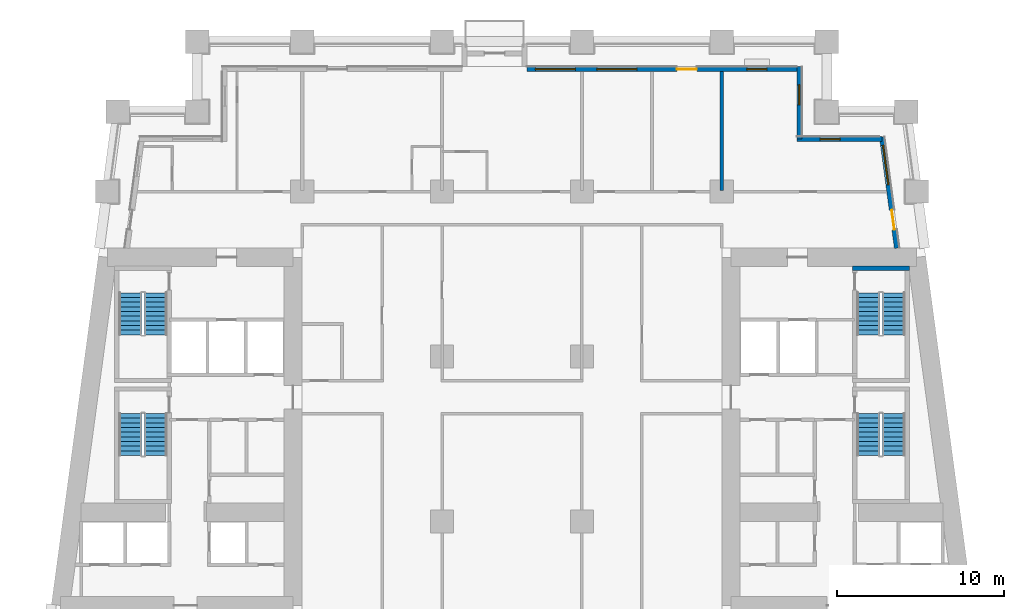
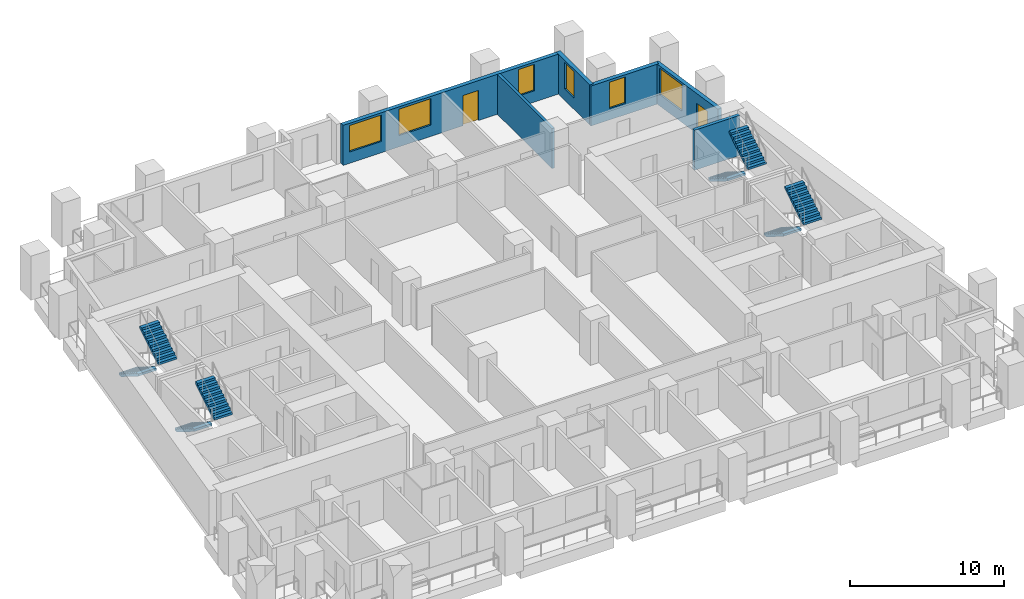
# One storey, part 7 of 12: 8 stair flights, 6 walls, 6 windows, 2 doors, 8 openings, 4 elements without a shape of their own.
"""IFC4 building model written with IfcOpenShell, lengths in metres."""

from ifc_helpers import new_model, si_unit, direction, frame, frame_2d, origin, place, context, subcontext, project, spatial, polyline, rectangle, outline, extrude, material, layer, layer_set, type_object, element, fill, aggregate, save


model = new_model("IFC4")

# Units and contexts
model_context = context("Model", 3, precision=1e-05, world=origin(), true_north=direction((0.0, 1.0)))
body_context = subcontext(model_context, "Body", "Model", "MODEL_VIEW")
ifc_project = project(units=[si_unit("LENGTHUNIT", "METRE"), si_unit("AREAUNIT", "SQUARE_METRE"), si_unit("VOLUMEUNIT", "CUBIC_METRE"), si_unit("PLANEANGLEUNIT", "RADIAN"), si_unit("MASSUNIT", "GRAM", prefix="KILO")], contexts=[model_context])

# Site, building, storey
site_placement = place(None, origin())
site = spatial("IfcSite", under=ifc_project, at=site_placement, CompositionType="ELEMENT")
building_placement = place(site_placement, origin())
building = spatial("IfcBuilding", under=site, at=building_placement, Name="Candeia Pilgrim Tower and Theatre", CompositionType="ELEMENT")
storey_placement = place(building_placement, frame((0.0, 0.0, 53.0)))
storey = spatial("IfcBuildingStorey", under=building, at=storey_placement, Name="L10", CompositionType="ELEMENT", Elevation=53.0)

# Wall, openings, door, window
ifc_material_1 = material(Name="Ceramic block masonry", Category="masonry")
ifc_layer_1 = layer(ifc_material_1, 0.300048828125)
ifc_layer_set_1 = layer_set([ifc_layer_1], Name="EW1 glazing-line wall 300")
wall_type_1 = type_object("IfcWallType", Name="EW1 glazing-line wall 300", PredefinedType="SOLIDWALL", material=ifc_layer_set_1)
wall_1_placement = place(storey_placement, frame((136.50439453125, 132.39990234375, 0.0), z_axis=(0.0, 0.0, 1.0), x_axis=(-0.133399697462, 0.99106231929, 0.0)))
wall_1 = element("IfcWall", 1, at=wall_1_placement, inside=storey, type_object=wall_type_1, Name="External wall L10-3.1", PredefinedType="SOLIDWALL", context=body_context, shape_type="SweptSolid", body=[
    extrude(rectangle(XDim=6.740478515625, YDim=0.300048828125, at=frame_2d((3.3701171875, 0.0))), origin(), (0.0, 0.0, 1.0), 3.179931640625),
])
opening_1_placement = place(wall_1_placement, frame((1.115234375, 0.0, 0.0)))
opening_1 = element("IfcOpeningElement", 2, at=opening_1_placement, cuts=wall_1, Name="Opening L10-ED122", PredefinedType="OPENING", context=body_context, shape_type="SweptSolid", body=[
    extrude(rectangle(XDim=1.199951171875, YDim=2.39990234375, at=frame_2d((0.60009765625, 1.199951171875))), frame((0.0, 0.16015625, 0.0), z_axis=(0.0, -1.0, 0.0), x_axis=(1.0, 0.0, 0.0)), (0.0, 0.0, 1.0), 0.320068359375),
])
opening_2_placement = place(wall_1_placement, frame((3.83544921875, 0.0, 0.89990234375)))
opening_2 = element("IfcOpeningElement", 3, at=opening_2_placement, cuts=wall_1, Name="Opening W-A", PredefinedType="OPENING", context=body_context, shape_type="SweptSolid", body=[
    extrude(rectangle(XDim=2.39990234375, YDim=2.10009765625, at=frame_2d((1.199951171875, 1.050048828125))), frame((0.0, 0.16015625, 0.0), z_axis=(0.0, -1.0, 0.0), x_axis=(1.0, 0.0, 0.0)), (0.0, 0.0, 1.0), 0.320068359375),
])
ifc_material_2 = material(Name="Aluminium framed glazed door", Category="aluminium")
door_type = type_object("IfcDoorType", Name="Loggia door 1200x2400", OperationType="DOUBLE_DOOR_SINGLE_SWING", PredefinedType="DOOR", material=ifc_material_2)
door_1_placement = place(opening_1_placement, origin())
door_1 = element("IfcDoor", 4, at=door_1_placement, inside=storey, type_object=door_type, Name="Loggia door L10-ED122", OperationType="DOUBLE_DOOR_SINGLE_SWING", OverallHeight=2.39990234375, OverallWidth=1.199951171875, PredefinedType="DOOR", context=body_context, shape_type="SweptSolid", body=[
    extrude(rectangle(XDim=1.199951171875, YDim=2.39990234375, at=frame_2d((0.60009765625, 1.199951171875))), frame((0.0, 0.02490234375, 0.0), z_axis=(0.0, -1.0, 0.0), x_axis=(1.0, 0.0, 0.0)), (0.0, 0.0, 1.0), 0.050048828125),
])
fill(opening_1, door_1)
ifc_material_3 = material(Name="Aluminium framed double glazing", Category="aluminium")
window_type_1 = type_object("IfcWindowType", Name="W-A window 2400x2100", PartitioningType="DOUBLE_PANEL_VERTICAL", PredefinedType="WINDOW", material=ifc_material_3)
window_1_placement = place(opening_2_placement, origin())
window_1 = element("IfcWindow", 5, at=window_1_placement, inside=storey, type_object=window_type_1, Name="Window W-A L10", OverallHeight=2.10009765625, OverallWidth=2.39990234375, PartitioningType="SINGLE_PANEL", PredefinedType="WINDOW", context=body_context, shape_type="SweptSolid", body=[
    extrude(rectangle(XDim=2.39990234375, YDim=2.10009765625, at=frame_2d((1.199951171875, 1.050048828125))), frame((0.0, 0.030029296875, 0.0), z_axis=(0.0, -1.0, 0.0), x_axis=(1.0, 0.0, 0.0)), (0.0, 0.0, 1.0), 0.06005859375),
])
fill(opening_2, window_1)

# Wall, opening, window
wall_2_placement = place(storey_placement, frame((135.62255859375, 138.949951171875, 0.0), z_axis=(0.0, 0.0, 1.0), x_axis=(-1.0, 0.0, 0.0)))
wall_2 = element("IfcWall", 6, at=wall_2_placement, inside=storey, type_object=wall_type_1, Name="External wall L10-4.0", PredefinedType="SOLIDWALL", context=body_context, shape_type="SweptSolid", body=[
    extrude(rectangle(XDim=5.12255859375, YDim=0.300048828125, at=frame_2d((2.561279296875, 0.0))), origin(), (0.0, 0.0, 1.0), 3.179931640625),
])
opening_3_placement = place(wall_2_placement, frame((2.522705078125, 0.0, 0.89990234375)))
opening_3 = element("IfcOpeningElement", 7, at=opening_3_placement, cuts=wall_2, Name="Opening W-B", PredefinedType="OPENING", context=body_context, shape_type="SweptSolid", body=[
    extrude(rectangle(XDim=1.199951171875, YDim=2.10009765625, at=frame_2d((0.60009765625, 1.050048828125))), frame((0.0, 0.16015625, 0.0), z_axis=(0.0, -1.0, 0.0), x_axis=(1.0, 0.0, 0.0)), (0.0, 0.0, 1.0), 0.320068359375),
])
window_type_2 = type_object("IfcWindowType", Name="W-B window 1200x2100", PartitioningType="SINGLE_PANEL", PredefinedType="WINDOW", material=ifc_material_3)
window_2_placement = place(opening_3_placement, origin())
window_2 = element("IfcWindow", 8, at=window_2_placement, inside=storey, type_object=window_type_2, Name="Window W-B L10", OverallHeight=2.10009765625, OverallWidth=1.199951171875, PartitioningType="SINGLE_PANEL", PredefinedType="WINDOW", context=body_context, shape_type="SweptSolid", body=[
    extrude(rectangle(XDim=1.199951171875, YDim=2.10009765625, at=frame_2d((0.60009765625, 1.050048828125))), frame((0.0, 0.030029296875, 0.0), z_axis=(0.0, -1.0, 0.0), x_axis=(1.0, 0.0, 0.0)), (0.0, 0.0, 1.0), 0.06005859375),
])
fill(opening_3, window_2)

wall_3_placement = place(storey_placement, frame((130.64990234375, 138.949951171875, 0.0), z_axis=(0.0, 0.0, 1.0), x_axis=(0.0, 1.0, 0.0)))
wall_3 = element("IfcWall", 9, at=wall_3_placement, inside=storey, type_object=wall_type_1, Name="External wall L10-5.0", PredefinedType="SOLIDWALL", context=body_context, shape_type="SweptSolid", body=[
    extrude(rectangle(XDim=4.35009765625, YDim=0.300048828125, at=frame_2d((2.175048828125, 0.0))), origin(), (0.0, 0.0, 1.0), 3.179931640625),
])
opening_4_placement = place(wall_3_placement, frame((2.050048828125, 0.0, 0.89990234375)))
opening_4 = element("IfcOpeningElement", 10, at=opening_4_placement, cuts=wall_3, Name="Opening W-B", PredefinedType="OPENING", context=body_context, shape_type="SweptSolid", body=[
    extrude(rectangle(XDim=1.199951171875, YDim=2.10009765625, at=frame_2d((0.60009765625, 1.050048828125))), frame((0.0, 0.16015625, 0.0), z_axis=(0.0, -1.0, 0.0), x_axis=(1.0, 0.0, 0.0)), (0.0, 0.0, 1.0), 0.320068359375),
])
window_3_placement = place(opening_4_placement, origin())
window_3 = element("IfcWindow", 11, at=window_3_placement, inside=storey, type_object=window_type_2, Name="Window W-B L10", OverallHeight=2.10009765625, OverallWidth=1.199951171875, PartitioningType="SINGLE_PANEL", PredefinedType="WINDOW", context=body_context, shape_type="SweptSolid", body=[
    extrude(rectangle(XDim=1.199951171875, YDim=2.10009765625, at=frame_2d((0.60009765625, 1.050048828125))), frame((0.0, 0.030029296875, 0.0), z_axis=(0.0, -1.0, 0.0), x_axis=(1.0, 0.0, 0.0)), (0.0, 0.0, 1.0), 0.06005859375),
])
fill(opening_4, window_3)

# Wall, openings, door, windows
wall_4_placement = place(storey_placement, frame((130.64990234375, 143.14990234375, 0.0), z_axis=(0.0, 0.0, 1.0), x_axis=(-1.0, 0.0, 0.0)))
wall_4 = element("IfcWall", 12, at=wall_4_placement, inside=storey, type_object=wall_type_1, Name="External wall L10-6.0", PredefinedType="SOLIDWALL", context=body_context, shape_type="SweptSolid", body=[
    extrude(rectangle(XDim=16.349853515625, YDim=0.300048828125, at=frame_2d((8.1748046875, 0.0))), origin(), (0.0, 0.0, 1.0), 3.179931640625),
])
opening_5_placement = place(wall_4_placement, frame((1.949951171875, 0.0, 0.89990234375)))
opening_5 = element("IfcOpeningElement", 13, at=opening_5_placement, cuts=wall_4, Name="Opening W-B", PredefinedType="OPENING", context=body_context, shape_type="SweptSolid", body=[
    extrude(rectangle(XDim=1.199951171875, YDim=2.10009765625, at=frame_2d((0.60009765625, 1.050048828125))), frame((0.0, 0.16015625, 0.0), z_axis=(0.0, -1.0, 0.0), x_axis=(1.0, 0.0, 0.0)), (0.0, 0.0, 1.0), 0.320068359375),
])
opening_6_placement = place(wall_4_placement, frame((6.14990234375, 0.0, 0.0)))
opening_6 = element("IfcOpeningElement", 14, at=opening_6_placement, cuts=wall_4, Name="Opening L10-ED123", PredefinedType="OPENING", context=body_context, shape_type="SweptSolid", body=[
    extrude(rectangle(XDim=1.199951171875, YDim=2.39990234375, at=frame_2d((0.60009765625, 1.199951171875))), frame((0.0, 0.16015625, 0.0), z_axis=(0.0, -1.0, 0.0), x_axis=(1.0, 0.0, 0.0)), (0.0, 0.0, 1.0), 0.320068359375),
])
opening_7_placement = place(wall_4_placement, frame((9.75, 0.0, 0.89990234375)))
opening_7 = element("IfcOpeningElement", 15, at=opening_7_placement, cuts=wall_4, Name="Opening W-A", PredefinedType="OPENING", context=body_context, shape_type="SweptSolid", body=[
    extrude(rectangle(XDim=2.39990234375, YDim=2.10009765625, at=frame_2d((1.199951171875, 1.050048828125))), frame((0.0, 0.16015625, 0.0), z_axis=(0.0, -1.0, 0.0), x_axis=(1.0, 0.0, 0.0)), (0.0, 0.0, 1.0), 0.320068359375),
])
opening_8_placement = place(wall_4_placement, frame((13.449951171875, 0.0, 0.89990234375)))
opening_8 = element("IfcOpeningElement", 16, at=opening_8_placement, cuts=wall_4, Name="Opening W-A", PredefinedType="OPENING", context=body_context, shape_type="SweptSolid", body=[
    extrude(rectangle(XDim=2.39990234375, YDim=2.10009765625, at=frame_2d((1.199951171875, 1.050048828125))), frame((0.0, 0.16015625, 0.0), z_axis=(0.0, -1.0, 0.0), x_axis=(1.0, 0.0, 0.0)), (0.0, 0.0, 1.0), 0.320068359375),
])
door_2_placement = place(opening_6_placement, origin())
door_2 = element("IfcDoor", 17, at=door_2_placement, inside=storey, type_object=door_type, Name="Loggia door L10-ED123", OperationType="DOUBLE_DOOR_SINGLE_SWING", OverallHeight=2.39990234375, OverallWidth=1.199951171875, PredefinedType="DOOR", context=body_context, shape_type="SweptSolid", body=[
    extrude(rectangle(XDim=1.199951171875, YDim=2.39990234375, at=frame_2d((0.60009765625, 1.199951171875))), frame((0.0, 0.02490234375, 0.0), z_axis=(0.0, -1.0, 0.0), x_axis=(1.0, 0.0, 0.0)), (0.0, 0.0, 1.0), 0.050048828125),
])
fill(opening_6, door_2)
window_4_placement = place(opening_7_placement, origin())
window_4 = element("IfcWindow", 18, at=window_4_placement, inside=storey, type_object=window_type_1, Name="Window W-A L10", OverallHeight=2.10009765625, OverallWidth=2.39990234375, PartitioningType="SINGLE_PANEL", PredefinedType="WINDOW", context=body_context, shape_type="SweptSolid", body=[
    extrude(rectangle(XDim=2.39990234375, YDim=2.10009765625, at=frame_2d((1.199951171875, 1.050048828125))), frame((0.0, 0.030029296875, 0.0), z_axis=(0.0, -1.0, 0.0), x_axis=(1.0, 0.0, 0.0)), (0.0, 0.0, 1.0), 0.06005859375),
])
fill(opening_7, window_4)
window_5_placement = place(opening_8_placement, origin())
window_5 = element("IfcWindow", 19, at=window_5_placement, inside=storey, type_object=window_type_1, Name="Window W-A L10", OverallHeight=2.10009765625, OverallWidth=2.39990234375, PartitioningType="SINGLE_PANEL", PredefinedType="WINDOW", context=body_context, shape_type="SweptSolid", body=[
    extrude(rectangle(XDim=2.39990234375, YDim=2.10009765625, at=frame_2d((1.199951171875, 1.050048828125))), frame((0.0, 0.030029296875, 0.0), z_axis=(0.0, -1.0, 0.0), x_axis=(1.0, 0.0, 0.0)), (0.0, 0.0, 1.0), 0.06005859375),
])
fill(opening_8, window_5)
window_6_placement = place(opening_5_placement, origin())
window_6 = element("IfcWindow", 20, at=window_6_placement, inside=storey, type_object=window_type_2, Name="Window W-B L10", OverallHeight=2.10009765625, OverallWidth=1.199951171875, PartitioningType="SINGLE_PANEL", PredefinedType="WINDOW", context=body_context, shape_type="SweptSolid", body=[
    extrude(rectangle(XDim=1.199951171875, YDim=2.10009765625, at=frame_2d((0.60009765625, 1.050048828125))), frame((0.0, 0.030029296875, 0.0), z_axis=(0.0, -1.0, 0.0), x_axis=(1.0, 0.0, 0.0)), (0.0, 0.0, 1.0), 0.06005859375),
])
fill(opening_5, window_6)

# Walls
ifc_material_4 = material(Name="Gypsum board partition on steel studs", Category="steel")
ifc_layer_2 = layer(ifc_material_4, 0.199951171875)
ifc_layer_set_2 = layer_set([ifc_layer_2], Name="PW-200 party wall")
wall_type_2 = type_object("IfcWallType", Name="PW-200 party wall", PredefinedType="PARTITIONING", material=ifc_layer_set_2)
wall_5_placement = place(storey_placement, frame((126.0, 135.875, 0.0), z_axis=(0.0, 0.0, 1.0), x_axis=(0.0, 1.0, 0.0)))
element("IfcWall", 21, at=wall_5_placement, inside=storey, type_object=wall_type_2, Name="Party wall L10-096", PredefinedType="PARTITIONING", context=body_context, shape_type="SweptSolid", body=[
    extrude(rectangle(XDim=7.135009765625, YDim=0.199951171875, at=frame_2d((3.5673828125, 0.0))), origin(), (0.0, 0.0, 1.0), 3.179931640625),
])
ifc_material_5 = material(Name="Concrete C40/50", Category="concrete")
ifc_layer_3 = layer(ifc_material_5, 0.25)
ifc_layer_set_3 = layer_set([ifc_layer_3], Name="SW-250 stair wall")
wall_type_3 = type_object("IfcWallType", Name="SW-250 stair wall", PredefinedType="PARTITIONING", material=ifc_layer_set_3)
wall_6_placement = place(storey_placement, frame((133.847900390625, 131.199951171875, 0.0), z_axis=(0.0, 0.0, 1.0), x_axis=(1.0, 0.0, 0.0)))
element("IfcWall", 22, at=wall_6_placement, inside=storey, type_object=wall_type_3, Name="Stair wall L10-040", PredefinedType="PARTITIONING", context=body_context, shape_type="SweptSolid", body=[
    extrude(rectangle(XDim=3.400146484375, YDim=0.25, at=frame_2d((1.7001953125, 0.0))), origin(), (0.0, 0.0, 1.0), 3.179931640625),
])

# Stair, stair flights
stair_type = type_object("IfcStairType", Name="ST-TWR dog-leg escape stair", PredefinedType="HALF_TURN_STAIR", material=ifc_material_5)
stair_1_placement = place(storey_placement, origin())
stair_1 = element("IfcStair", 23, at=stair_1_placement, inside=storey, type_object=stair_type, Name="L10 Escape stair ST1", PredefinedType="HALF_TURN_STAIR")
stair_flight_type = type_object("IfcStairFlightType", Name="SFL-RC stair flight", PredefinedType="STRAIGHT", material=ifc_material_5)
stair_flight_1_placement = place(storey_placement, frame((90.47705078125, 122.47509765625, 0.0), z_axis=(0.0, 0.0, 1.0), x_axis=(0.0, -1.0, 0.0)))
stair_flight_1 = element("IfcStairFlight", 24, at=stair_flight_1_placement, type_object=stair_flight_type, Name="ST1 flight 1", NumberOfRisers=10, NumberOfTreads=9, PredefinedType="STRAIGHT", RiserHeight=0.175, TreadLength=0.28, context=body_context, shape_type="SweptSolid", body=[
    extrude(outline(polyline([(0.0, 0.0), (0.0, 0.175048828125), (0.280029296875, 0.175048828125), (0.280029296875, 0.35009765625), (0.56005859375, 0.35009765625), (0.56005859375, 0.52490234375), (0.840087890625, 0.52490234375), (0.840087890625, 0.699951171875), (1.1201171875, 0.699951171875), (1.1201171875, 0.875), (1.39990234375, 0.875), (1.39990234375, 1.050048828125), (1.679931640625, 1.050048828125), (1.679931640625, 1.22509765625), (1.9599609375, 1.22509765625), (1.9599609375, 1.39990234375), (2.239990234375, 1.39990234375), (2.239990234375, 1.574951171875), (2.52001953125, 1.574951171875), (2.52001953125, 1.75), (2.52001953125, 1.398193359375), (0.28271484375, 0.0), (0.0, 0.0)])), frame((0.0, 0.675048828125, 0.0), z_axis=(0.0, -1.0, 0.0), x_axis=(1.0, 0.0, 0.0)), (0.0, 0.0, 1.0), 1.35009765625),
])
stair_flight_2_placement = place(storey_placement, frame((92.027099609375, 119.955078125, 1.75), z_axis=(0.0, 0.0, 1.0), x_axis=(0.0, 1.0, 0.0)))
stair_flight_2 = element("IfcStairFlight", 25, at=stair_flight_2_placement, type_object=stair_flight_type, Name="ST1 flight 2", NumberOfRisers=10, NumberOfTreads=9, PredefinedType="STRAIGHT", RiserHeight=0.175, TreadLength=0.28, context=body_context, shape_type="SweptSolid", body=[
    extrude(outline(polyline([(0.0, 0.0), (0.0, 0.175048828125), (0.280029296875, 0.175048828125), (0.280029296875, 0.35009765625), (0.56005859375, 0.35009765625), (0.56005859375, 0.52490234375), (0.840087890625, 0.52490234375), (0.840087890625, 0.699951171875), (1.1201171875, 0.699951171875), (1.1201171875, 0.875), (1.39990234375, 0.875), (1.39990234375, 1.050048828125), (1.679931640625, 1.050048828125), (1.679931640625, 1.22509765625), (1.9599609375, 1.22509765625), (1.9599609375, 1.39990234375), (2.239990234375, 1.39990234375), (2.239990234375, 1.574951171875), (2.52001953125, 1.574951171875), (2.52001953125, 1.75), (2.52001953125, 1.398193359375), (0.28271484375, 0.0), (0.0, 0.0)])), frame((0.0, 0.675048828125, 0.0), z_axis=(0.0, -1.0, 0.0), x_axis=(1.0, 0.0, 0.0)), (0.0, 0.0, 1.0), 1.35009765625),
])
aggregate(stair_1, [stair_flight_1, stair_flight_2])

stair_2_placement = place(storey_placement, origin())
stair_2 = element("IfcStair", 26, at=stair_2_placement, inside=storey, type_object=stair_type, Name="L10 Escape stair ST2", PredefinedType="HALF_TURN_STAIR")
stair_flight_3_placement = place(storey_placement, frame((90.47705078125, 129.72509765625, 0.0), z_axis=(0.0, 0.0, 1.0), x_axis=(0.0, -1.0, 0.0)))
stair_flight_3 = element("IfcStairFlight", 27, at=stair_flight_3_placement, type_object=stair_flight_type, Name="ST2 flight 1", NumberOfRisers=10, NumberOfTreads=9, PredefinedType="STRAIGHT", RiserHeight=0.175, TreadLength=0.28, context=body_context, shape_type="SweptSolid", body=[
    extrude(outline(polyline([(0.0, 0.0), (0.0, 0.175048828125), (0.280029296875, 0.175048828125), (0.280029296875, 0.35009765625), (0.56005859375, 0.35009765625), (0.56005859375, 0.52490234375), (0.840087890625, 0.52490234375), (0.840087890625, 0.699951171875), (1.1201171875, 0.699951171875), (1.1201171875, 0.875), (1.39990234375, 0.875), (1.39990234375, 1.050048828125), (1.679931640625, 1.050048828125), (1.679931640625, 1.22509765625), (1.9599609375, 1.22509765625), (1.9599609375, 1.39990234375), (2.239990234375, 1.39990234375), (2.239990234375, 1.574951171875), (2.52001953125, 1.574951171875), (2.52001953125, 1.75), (2.52001953125, 1.398193359375), (0.28271484375, 0.0), (0.0, 0.0)])), frame((0.0, 0.675048828125, 0.0), z_axis=(0.0, -1.0, 0.0), x_axis=(1.0, 0.0, 0.0)), (0.0, 0.0, 1.0), 1.35009765625),
])
stair_flight_4_placement = place(storey_placement, frame((92.027099609375, 127.205078125, 1.75), z_axis=(0.0, 0.0, 1.0), x_axis=(0.0, 1.0, 0.0)))
stair_flight_4 = element("IfcStairFlight", 28, at=stair_flight_4_placement, type_object=stair_flight_type, Name="ST2 flight 2", NumberOfRisers=10, NumberOfTreads=9, PredefinedType="STRAIGHT", RiserHeight=0.175, TreadLength=0.28, context=body_context, shape_type="SweptSolid", body=[
    extrude(outline(polyline([(0.0, 0.0), (0.0, 0.175048828125), (0.280029296875, 0.175048828125), (0.280029296875, 0.35009765625), (0.56005859375, 0.35009765625), (0.56005859375, 0.52490234375), (0.840087890625, 0.52490234375), (0.840087890625, 0.699951171875), (1.1201171875, 0.699951171875), (1.1201171875, 0.875), (1.39990234375, 0.875), (1.39990234375, 1.050048828125), (1.679931640625, 1.050048828125), (1.679931640625, 1.22509765625), (1.9599609375, 1.22509765625), (1.9599609375, 1.39990234375), (2.239990234375, 1.39990234375), (2.239990234375, 1.574951171875), (2.52001953125, 1.574951171875), (2.52001953125, 1.75), (2.52001953125, 1.398193359375), (0.28271484375, 0.0), (0.0, 0.0)])), frame((0.0, 0.675048828125, 0.0), z_axis=(0.0, -1.0, 0.0), x_axis=(1.0, 0.0, 0.0)), (0.0, 0.0, 1.0), 1.35009765625),
])
aggregate(stair_2, [stair_flight_3, stair_flight_4])

stair_3_placement = place(storey_placement, origin())
stair_3 = element("IfcStair", 29, at=stair_3_placement, inside=storey, type_object=stair_type, Name="L10 Escape stair ST3", PredefinedType="HALF_TURN_STAIR")
stair_flight_5_placement = place(storey_placement, frame((134.77294921875, 122.47509765625, 0.0), z_axis=(0.0, 0.0, 1.0), x_axis=(0.0, -1.0, 0.0)))
stair_flight_5 = element("IfcStairFlight", 30, at=stair_flight_5_placement, type_object=stair_flight_type, Name="ST3 flight 1", NumberOfRisers=10, NumberOfTreads=9, PredefinedType="STRAIGHT", RiserHeight=0.175, TreadLength=0.28, context=body_context, shape_type="SweptSolid", body=[
    extrude(outline(polyline([(0.0, 0.0), (0.0, 0.175048828125), (0.280029296875, 0.175048828125), (0.280029296875, 0.35009765625), (0.56005859375, 0.35009765625), (0.56005859375, 0.52490234375), (0.840087890625, 0.52490234375), (0.840087890625, 0.699951171875), (1.1201171875, 0.699951171875), (1.1201171875, 0.875), (1.39990234375, 0.875), (1.39990234375, 1.050048828125), (1.679931640625, 1.050048828125), (1.679931640625, 1.22509765625), (1.9599609375, 1.22509765625), (1.9599609375, 1.39990234375), (2.239990234375, 1.39990234375), (2.239990234375, 1.574951171875), (2.52001953125, 1.574951171875), (2.52001953125, 1.75), (2.52001953125, 1.398193359375), (0.28271484375, 0.0), (0.0, 0.0)])), frame((0.0, 0.675048828125, 0.0), z_axis=(0.0, -1.0, 0.0), x_axis=(1.0, 0.0, 0.0)), (0.0, 0.0, 1.0), 1.35009765625),
])
stair_flight_6_placement = place(storey_placement, frame((136.322998046875, 119.955078125, 1.75), z_axis=(0.0, 0.0, 1.0), x_axis=(0.0, 1.0, 0.0)))
stair_flight_6 = element("IfcStairFlight", 31, at=stair_flight_6_placement, type_object=stair_flight_type, Name="ST3 flight 2", NumberOfRisers=10, NumberOfTreads=9, PredefinedType="STRAIGHT", RiserHeight=0.175, TreadLength=0.28, context=body_context, shape_type="SweptSolid", body=[
    extrude(outline(polyline([(0.0, 0.0), (0.0, 0.175048828125), (0.280029296875, 0.175048828125), (0.280029296875, 0.35009765625), (0.56005859375, 0.35009765625), (0.56005859375, 0.52490234375), (0.840087890625, 0.52490234375), (0.840087890625, 0.699951171875), (1.1201171875, 0.699951171875), (1.1201171875, 0.875), (1.39990234375, 0.875), (1.39990234375, 1.050048828125), (1.679931640625, 1.050048828125), (1.679931640625, 1.22509765625), (1.9599609375, 1.22509765625), (1.9599609375, 1.39990234375), (2.239990234375, 1.39990234375), (2.239990234375, 1.574951171875), (2.52001953125, 1.574951171875), (2.52001953125, 1.75), (2.52001953125, 1.398193359375), (0.28271484375, 0.0), (0.0, 0.0)])), frame((0.0, 0.675048828125, 0.0), z_axis=(0.0, -1.0, 0.0), x_axis=(1.0, 0.0, 0.0)), (0.0, 0.0, 1.0), 1.35009765625),
])
aggregate(stair_3, [stair_flight_5, stair_flight_6])

stair_4_placement = place(storey_placement, origin())
stair_4 = element("IfcStair", 32, at=stair_4_placement, inside=storey, type_object=stair_type, Name="L10 Escape stair ST4", PredefinedType="HALF_TURN_STAIR")
stair_flight_7_placement = place(storey_placement, frame((134.77294921875, 129.72509765625, 0.0), z_axis=(0.0, 0.0, 1.0), x_axis=(0.0, -1.0, 0.0)))
stair_flight_7 = element("IfcStairFlight", 33, at=stair_flight_7_placement, type_object=stair_flight_type, Name="ST4 flight 1", NumberOfRisers=10, NumberOfTreads=9, PredefinedType="STRAIGHT", RiserHeight=0.175, TreadLength=0.28, context=body_context, shape_type="SweptSolid", body=[
    extrude(outline(polyline([(0.0, 0.0), (0.0, 0.175048828125), (0.280029296875, 0.175048828125), (0.280029296875, 0.35009765625), (0.56005859375, 0.35009765625), (0.56005859375, 0.52490234375), (0.840087890625, 0.52490234375), (0.840087890625, 0.699951171875), (1.1201171875, 0.699951171875), (1.1201171875, 0.875), (1.39990234375, 0.875), (1.39990234375, 1.050048828125), (1.679931640625, 1.050048828125), (1.679931640625, 1.22509765625), (1.9599609375, 1.22509765625), (1.9599609375, 1.39990234375), (2.239990234375, 1.39990234375), (2.239990234375, 1.574951171875), (2.52001953125, 1.574951171875), (2.52001953125, 1.75), (2.52001953125, 1.398193359375), (0.28271484375, 0.0), (0.0, 0.0)])), frame((0.0, 0.675048828125, 0.0), z_axis=(0.0, -1.0, 0.0), x_axis=(1.0, 0.0, 0.0)), (0.0, 0.0, 1.0), 1.35009765625),
])
stair_flight_8_placement = place(storey_placement, frame((136.322998046875, 127.205078125, 1.75), z_axis=(0.0, 0.0, 1.0), x_axis=(0.0, 1.0, 0.0)))
stair_flight_8 = element("IfcStairFlight", 34, at=stair_flight_8_placement, type_object=stair_flight_type, Name="ST4 flight 2", NumberOfRisers=10, NumberOfTreads=9, PredefinedType="STRAIGHT", RiserHeight=0.175, TreadLength=0.28, context=body_context, shape_type="SweptSolid", body=[
    extrude(outline(polyline([(0.0, 0.0), (0.0, 0.175048828125), (0.280029296875, 0.175048828125), (0.280029296875, 0.35009765625), (0.56005859375, 0.35009765625), (0.56005859375, 0.52490234375), (0.840087890625, 0.52490234375), (0.840087890625, 0.699951171875), (1.1201171875, 0.699951171875), (1.1201171875, 0.875), (1.39990234375, 0.875), (1.39990234375, 1.050048828125), (1.679931640625, 1.050048828125), (1.679931640625, 1.22509765625), (1.9599609375, 1.22509765625), (1.9599609375, 1.39990234375), (2.239990234375, 1.39990234375), (2.239990234375, 1.574951171875), (2.52001953125, 1.574951171875), (2.52001953125, 1.75), (2.52001953125, 1.398193359375), (0.28271484375, 0.0), (0.0, 0.0)])), frame((0.0, 0.675048828125, 0.0), z_axis=(0.0, -1.0, 0.0), x_axis=(1.0, 0.0, 0.0)), (0.0, 0.0, 1.0), 1.35009765625),
])
aggregate(stair_4, [stair_flight_7, stair_flight_8])

save(model, "model.ifc")
